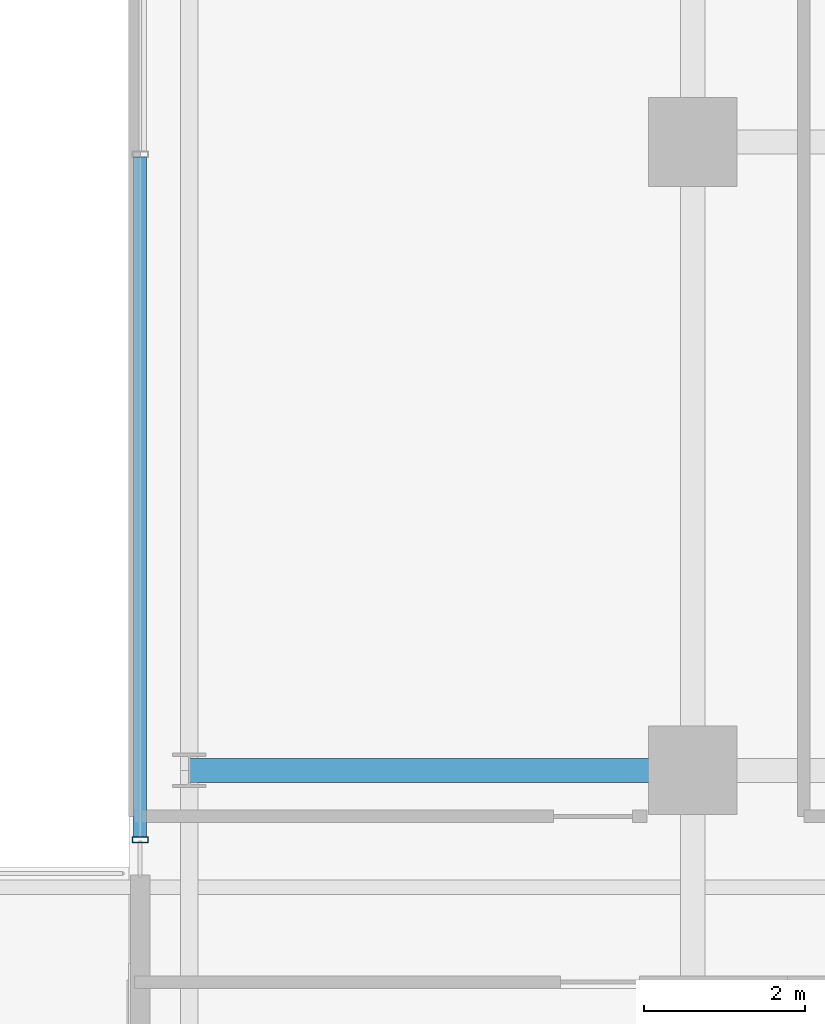
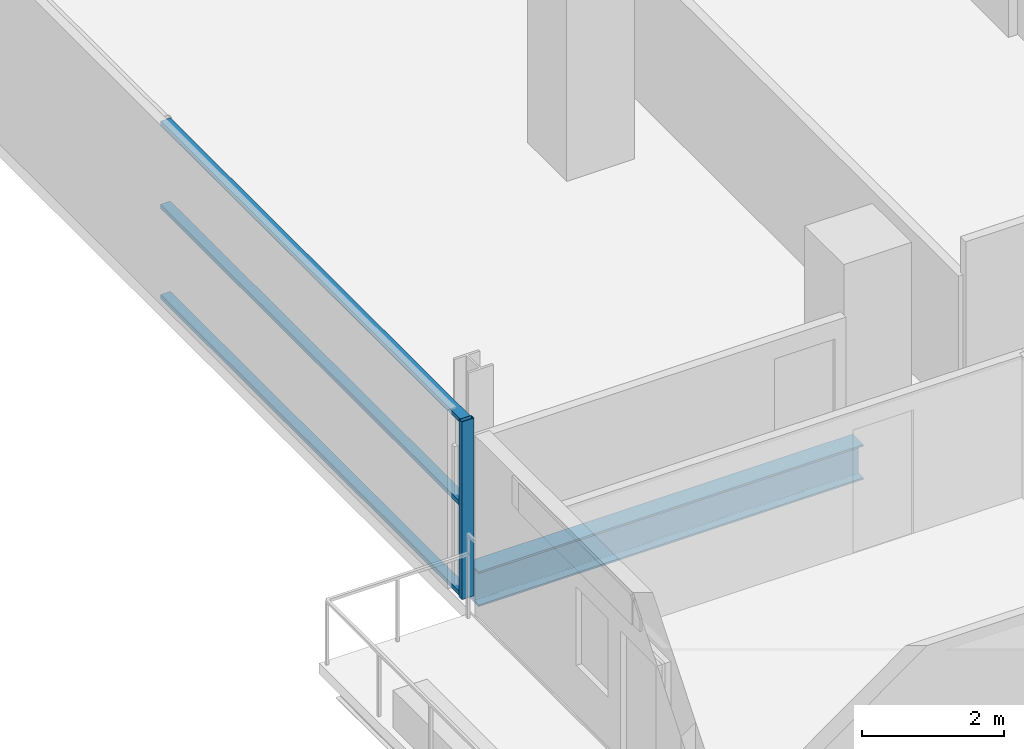
# One storey, part 5 of 32: 4 members, 1 beam, 1 element without a shape of its own.
"""IFC4 building model written with IfcOpenShell, lengths in metres."""

import ifcopenshell
import ifcopenshell.guid

model = None  # the IFC model being written
_history = None  # IfcOwnerHistory: only IFC2X3 demands one
_inside = {}  # id of a spatial element -> (the spatial element, [elements in it])
_under = {}  # id of a project, library or spatial element -> (it, [spatial elements below it])
_declared = {}  # id of a project -> (the project, [libraries it declares])
_typed = {}  # id of a type object -> (the type object, [elements of that type])
_made_of = {}  # id of a material, layer set ... -> (it, [elements and type objects made of it])


def new_model(schema):
    """Start an empty IFC model of exactly this schema.

    Asked for "IFC4X3", IfcOpenShell would pick the latest addendum, in which some entities
    have other attributes; the version numbers below select the first issue.
    IFC2X3 requires an IfcOwnerHistory on every rooted entity: one is made here for all.
    """
    global model, _history
    if schema == "IFC4X3":
        model = ifcopenshell.file(schema_version=(4, 3, 0, 0))
    else:
        model = ifcopenshell.file(schema=schema)
    _inside.clear()
    _under.clear()
    _declared.clear()
    _typed.clear()
    _made_of.clear()
    _history = None
    if model.schema == "IFC2X3":
        org = make("IfcOrganization", Name="unknown")
        user = make(
            "IfcPersonAndOrganization",
            ThePerson=make("IfcPerson", FamilyName="unknown"),
            TheOrganization=org,
        )
        app = make(
            "IfcApplication",
            ApplicationDeveloper=org,
            Version="unknown",
            ApplicationFullName="unknown",
            ApplicationIdentifier="unknown",
        )
        _history = make(
            "IfcOwnerHistory",
            OwningUser=user,
            OwningApplication=app,
            ChangeAction="ADDED",
            CreationDate=0,
        )
    return model


def make(cls, **values):
    """One entity of the class cls with the attributes given. An attribute that is None is left unset."""
    return model.create_entity(
        cls, **{name: value for name, value in values.items() if value is not None}
    )


def rooted(cls, **values):
    """An entity with a GlobalId (a new one), such as an element, a storey or a relation."""
    return make(cls, GlobalId=ifcopenshell.guid.new(), OwnerHistory=_history, **values)


def si_unit(unit_type, name, prefix=None):
    """IfcSIUnit, for example si_unit("LENGTHUNIT", "METRE", prefix="MILLI")."""
    return make("IfcSIUnit", UnitType=unit_type, Prefix=prefix, Name=name)


def assignment(units):
    """IfcUnitAssignment: the units of a project."""
    return None if units is None else make("IfcUnitAssignment", Units=units)


def point(xyz):
    """IfcCartesianPoint."""
    return None if xyz is None else make("IfcCartesianPoint", Coordinates=xyz)


def direction(xyz):
    """IfcDirection."""
    return None if xyz is None else make("IfcDirection", DirectionRatios=xyz)


def frame(location, z_axis=None, x_axis=None):
    """IfcAxis2Placement3D, a coordinate frame: its origin and axes. An axis left out is left unset."""
    return make(
        "IfcAxis2Placement3D",
        Location=point(location),
        Axis=direction(z_axis),
        RefDirection=direction(x_axis),
    )


def frame_2d(location, x_axis=None):
    """IfcAxis2Placement2D, a coordinate frame in the plane: its origin and x axis."""
    return make(
        "IfcAxis2Placement2D", Location=point(location), RefDirection=direction(x_axis)
    )


def origin():
    """The frame at (0, 0, 0) with its axes left unset."""
    return frame((0.0, 0.0, 0.0))


def origin_2d():
    """The frame at (0, 0) in the plane with its x axis left unset."""
    return frame_2d((0.0, 0.0))


def place(relative_to, where):
    """IfcLocalPlacement: puts the frame where relative to a parent placement (None: the world)."""
    return make(
        "IfcLocalPlacement", PlacementRelTo=relative_to, RelativePlacement=where
    )


def context(
    kind, dimensions, precision=None, world=None, true_north=None, identifier=None
):
    """IfcGeometricRepresentationContext, for example the 3D "Model" context."""
    return make(
        "IfcGeometricRepresentationContext",
        ContextIdentifier=identifier,
        ContextType=kind,
        CoordinateSpaceDimension=dimensions,
        Precision=precision,
        WorldCoordinateSystem=world,
        TrueNorth=true_north,
    )


def subcontext(parent, identifier, kind, view, scale=None):
    """IfcGeometricRepresentationSubContext, for example "Body" below "Model"."""
    return make(
        "IfcGeometricRepresentationSubContext",
        ContextIdentifier=identifier,
        ContextType=kind,
        ParentContext=parent,
        TargetScale=scale,
        TargetView=view,
    )


def project(units=None, contexts=None):
    """IfcProject with its units and contexts."""
    return rooted(
        "IfcProject",
        Name="project",
        RepresentationContexts=contexts,
        UnitsInContext=assignment(units),
    )


def spatial(cls, under=None, at=None, **own):
    """A site, building, storey or space (cls), placed at a placement, below another one or the project."""
    s = rooted(cls, ObjectPlacement=at, **own)
    if under is not None:
        _under.setdefault(under.id(), (under, []))[1].append(s)
    return s


def profile(cls, at=None, kind="AREA", **sizes):
    """A parametric profile (cls). Its sizes go by their IFC names, for example OverallWidth=200.0."""
    return make(cls, ProfileType=kind, Position=at, **sizes)


def hollow_rectangle(**sizes):
    """IfcRectangleHollowProfileDef."""
    return profile("IfcRectangleHollowProfileDef", **sizes)


def i_section(**sizes):
    """IfcIShapeProfileDef."""
    return profile("IfcIShapeProfileDef", **sizes)


def extrude(swept, where, along, depth):
    """IfcExtrudedAreaSolid: the profile swept, set in the frame where, extruded along a direction by depth."""
    return make(
        "IfcExtrudedAreaSolid",
        SweptArea=swept,
        Position=where,
        ExtrudedDirection=direction(along),
        Depth=depth,
    )


def shape(context_of_items, identifier, shape_type, items):
    """IfcShapeRepresentation: the items that make up one representation, for example the "Body"."""
    return make(
        "IfcShapeRepresentation",
        ContextOfItems=context_of_items,
        RepresentationIdentifier=identifier,
        RepresentationType=shape_type,
        Items=items,
    )


def source(mapping_origin, context_of_items, identifier, shape_type, items):
    """IfcRepresentationMap: a shape defined once, which mapped items show again and again."""
    return make(
        "IfcRepresentationMap",
        MappingOrigin=mapping_origin,
        MappedRepresentation=shape(context_of_items, identifier, shape_type, items),
    )


def transform(
    local_origin,
    x_axis=None,
    y_axis=None,
    z_axis=None,
    scale=None,
    scale2=None,
    scale3=None,
    uniform=True,
):
    """IfcCartesianTransformationOperator3D, or its non-uniform kind. x_axis, y_axis, z_axis: its Axis1, 2, 3."""
    if uniform:
        return make(
            "IfcCartesianTransformationOperator3D",
            Axis1=direction(x_axis),
            Axis2=direction(y_axis),
            LocalOrigin=point(local_origin),
            Scale=scale,
            Axis3=direction(z_axis),
        )
    return make(
        "IfcCartesianTransformationOperator3DnonUniform",
        Axis1=direction(x_axis),
        Axis2=direction(y_axis),
        LocalOrigin=point(local_origin),
        Scale=scale,
        Axis3=direction(z_axis),
        Scale2=scale2,
        Scale3=scale3,
    )


def mapped(mapping_source, mapping_target):
    """IfcMappedItem: shows the shape of a source again, moved by a transform."""
    return make(
        "IfcMappedItem", MappingSource=mapping_source, MappingTarget=mapping_target
    )


def material(Name=None, Category=None):
    """IfcMaterial."""
    return make("IfcMaterial", Name=Name, Category=Category)


def layer(
    of_material, thickness, ventilated=None, Name=None, Category=None, Priority=None
):
    """IfcMaterialLayer: one layer of a wall or slab, of a material (None: an air gap)."""
    return make(
        "IfcMaterialLayer",
        Material=of_material,
        LayerThickness=thickness,
        IsVentilated=ventilated,
        Name=Name,
        Category=Category,
        Priority=Priority,
    )


def layer_set(layers, Name=None):
    """IfcMaterialLayerSet."""
    return make("IfcMaterialLayerSet", MaterialLayers=layers, LayerSetName=Name)


def material_profile(
    of_material, cross_section, Name=None, Category=None, Priority=None
):
    """IfcMaterialProfile: a cross section and its material."""
    return make(
        "IfcMaterialProfile",
        Name=Name,
        Material=of_material,
        Profile=cross_section,
        Priority=Priority,
        Category=Category,
    )


def profile_set(profiles, Name=None, composite=None):
    """IfcMaterialProfileSet."""
    return make(
        "IfcMaterialProfileSet",
        Name=Name,
        MaterialProfiles=profiles,
        CompositeProfile=composite,
    )


def made_of(thing, what):
    """Note that an element or type object is made of a material, layer set ...; save() writes the relation."""
    if what is not None:
        _made_of.setdefault(what.id(), (what, []))[1].append(thing)
    return thing


def type_object(cls, material=None, **own):
    """A type object (cls), such as IfcWallType, which elements share."""
    return made_of(rooted(cls, **own), material)


def element(
    cls,
    number,
    at=None,
    inside=None,
    cuts=None,
    type_object=None,
    material=None,
    context=None,
    identifier="Body",
    shape_type=None,
    held_by="IfcProductDefinitionShape",
    body=None,
    shapes=None,
    **own,
):
    """One element of the class cls, such as IfcWall. Its Tag is "e" and its number.

    at: its placement. inside: the storey or other place that contains it. cuts: it is an
    opening in that element (IfcRelVoidsElement). A single representation is given by context,
    identifier, shape_type and body (its items); several are given by shapes. held_by: the class
    of the entity that holds the representations. save() writes the other relations.
    """
    e = rooted(cls, Tag="e%d" % number, ObjectPlacement=at, **own)
    if body is not None:
        shapes = [shape(context, identifier, shape_type, body)]
    if shapes is not None:
        e.Representation = make(held_by, Representations=shapes)
    if inside is not None:
        _inside.setdefault(inside.id(), (inside, []))[1].append(e)
    if cuts is not None:
        rooted(
            "IfcRelVoidsElement", RelatingBuildingElement=cuts, RelatedOpeningElement=e
        )
    if type_object is not None:
        _typed.setdefault(type_object.id(), (type_object, []))[1].append(e)
    return made_of(e, material)


def aggregate(whole, parts):
    """IfcRelAggregates: a whole, such as a stair, and the parts it consists of."""
    return rooted("IfcRelAggregates", RelatingObject=whole, RelatedObjects=parts)


def save(model, path):
    """Write the relations noted so far, then the file.

    IfcRelAggregates (storeys below a building ...), IfcRelContainedInSpatialStructure (elements
    in a storey), IfcRelDefinesByType, IfcRelAssociatesMaterial and IfcRelDeclares: one each for
    every whole, place, type object, material and project.
    """
    for whole, parts in _under.values():
        aggregate(whole, parts)
    for where, things in _inside.values():
        rooted(
            "IfcRelContainedInSpatialStructure",
            RelatedElements=things,
            RelatingStructure=where,
        )
    for kind, things in _typed.values():
        rooted("IfcRelDefinesByType", RelatedObjects=things, RelatingType=kind)
    for what, things in _made_of.values():
        rooted("IfcRelAssociatesMaterial", RelatedObjects=things, RelatingMaterial=what)
    for by, libraries in _declared.values():
        rooted("IfcRelDeclares", RelatingContext=by, RelatedDefinitions=libraries)
    model.write(path)


model = new_model("IFC4")

# Units and contexts
model_context = context("Model", 3, precision=1e-05, world=origin(), true_north=direction((0.0, 1.0)))
body_context = subcontext(model_context, "Body", "Model", "MODEL_VIEW")
ifc_project = project(units=[si_unit("LENGTHUNIT", "METRE"), si_unit("AREAUNIT", "SQUARE_METRE"), si_unit("VOLUMEUNIT", "CUBIC_METRE"), si_unit("PLANEANGLEUNIT", "RADIAN"), si_unit("MASSUNIT", "GRAM", prefix="KILO")], contexts=[model_context])

# Site, building, storey
site_placement = place(None, origin())
site = spatial("IfcSite", under=ifc_project, at=site_placement, CompositionType="ELEMENT")
building_placement = place(site_placement, origin())
building = spatial("IfcBuilding", under=site, at=building_placement, Name="Zarnakvel Exchange Tower", CompositionType="ELEMENT")
storey_placement = place(building_placement, frame((0.0, 0.0, 73.60009765625)))
storey = spatial("IfcBuildingStorey", under=building, at=storey_placement, Name="L20", CompositionType="ELEMENT", Elevation=73.60009765625)

# Beam
ifc_material_1 = material(Name="Steel S355", Category="steel")
ifc_material_profile_1 = material_profile(ifc_material_1, i_section(OverallWidth=0.300048828125, OverallDepth=0.60009765625, WebThickness=0.015380859375, FlangeThickness=0.030029296875, FilletRadius=0.027099609375, at=origin_2d()))
ifc_profile_set_1 = profile_set([ifc_material_profile_1], Name="Steel S355")
beam_type = type_object("IfcBeamType", Name="G-04", PredefinedType="BEAM", material=ifc_profile_set_1)
beam_placement = place(storey_placement, frame((-27.85009765625, -1.199951171875, -0.525146484375), z_axis=(1.0, 0.0, 0.0), x_axis=(0.0, 1.0, 0.0)))
element("IfcBeam", 1, at=beam_placement, inside=storey, type_object=beam_type, Name="L20 Tower E-W Frame Beam", PredefinedType="BEAM", context=body_context, shape_type="SweptSolid", body=[
    extrude(i_section(OverallWidth=0.300048828125, OverallDepth=0.60009765625, WebThickness=0.015380859375, FlangeThickness=0.030029296875, FilletRadius=0.027099609375, at=origin_2d()), origin(), (0.0, 0.0, 1.0), 6.25),
])

# Curtain wall, members
ifc_material_2 = material(Name="Architectural Bronze Anodised Aluminium", Category="aluminium")
ifc_layer = layer(ifc_material_2, 0.199951171875)
ifc_layer_set = layer_set([ifc_layer], Name="Architectural Bronze Anodised Aluminium")
curtain_wall_type = type_object("IfcCurtainWallType", Name="CW-04", PredefinedType="NOTDEFINED", material=ifc_layer_set)
curtain_wall_placement = place(storey_placement, origin())
curtain_wall = element("IfcCurtainWall", 2, at=curtain_wall_placement, inside=storey, type_object=curtain_wall_type, Name="L20 Curtain Wall CW-L20-WN (CW-04)", PredefinedType="NOTDEFINED")
ifc_material_profile_2 = material_profile(ifc_material_2, hollow_rectangle(XDim=0.159912109375, YDim=0.074951171875, WallThickness=0.00390625, at=origin_2d()))
ifc_profile_set_2 = profile_set([ifc_material_profile_2], Name="Architectural Bronze Anodised Aluminium")
member_type_1 = type_object("IfcMemberType", Name="CWT-04", PredefinedType="USERDEFINED", material=ifc_profile_set_2)
shared_shape_1 = source(origin(), body_context, "Body", "SweptSolid", [
    extrude(hollow_rectangle(XDim=0.159912109375, YDim=0.074951171875, WallThickness=0.00390625, at=origin_2d()), origin(), (0.0, 0.0, 1.0), 8.4375),
])
member_1_placement = place(storey_placement, frame((-28.4599609375, -2.02490234375, 0.037353515625), z_axis=(0.0, 1.0, 0.0), x_axis=(-1.0, 0.0, 0.0)))
member_1 = element("IfcMember", 3, at=member_1_placement, type_object=member_type_1, Name="CW-04 transom 1.1", ObjectType="TRANSOM", PredefinedType="USERDEFINED", context=body_context, shape_type="MappedRepresentation", body=[
    mapped(shared_shape_1, transform((0.0, 0.0, 0.0), x_axis=(1.0, 0.0, 0.0), y_axis=(0.0, 1.0, 0.0), z_axis=(0.0, 0.0, 1.0), scale=1.0)),
])
member_2_placement = place(storey_placement, frame((-28.4599609375, -2.02490234375, 1.588623046875), z_axis=(0.0, 1.0, 0.0), x_axis=(-1.0, 0.0, 0.0)))
member_2 = element("IfcMember", 4, at=member_2_placement, type_object=member_type_1, Name="CW-04 transom 1.2", ObjectType="TRANSOM", PredefinedType="USERDEFINED", context=body_context, shape_type="MappedRepresentation", body=[
    mapped(shared_shape_1, transform((0.0, 0.0, 0.0), x_axis=(1.0, 0.0, 0.0), y_axis=(0.0, 1.0, 0.0), z_axis=(0.0, 0.0, 1.0), scale=1.0)),
])
member_3_placement = place(storey_placement, frame((-28.4599609375, -2.02490234375, 3.017333984375), z_axis=(0.0, 1.0, 0.0), x_axis=(-1.0, 0.0, 0.0)))
member_3 = element("IfcMember", 5, at=member_3_placement, type_object=member_type_1, Name="CW-04 transom 1.3", ObjectType="TRANSOM", PredefinedType="USERDEFINED", context=body_context, shape_type="MappedRepresentation", body=[
    mapped(shared_shape_1, transform((0.0, 0.0, 0.0), x_axis=(1.0, 0.0, 0.0), y_axis=(0.0, 1.0, 0.0), z_axis=(0.0, 0.0, 1.0), scale=1.0)),
])
ifc_material_profile_3 = material_profile(ifc_material_2, hollow_rectangle(XDim=0.199951171875, YDim=0.074951171875, WallThickness=0.0048828125, at=origin_2d()))
ifc_profile_set_3 = profile_set([ifc_material_profile_3], Name="Architectural Bronze Anodised Aluminium")
member_type_2 = type_object("IfcMemberType", Name="CWM-04", PredefinedType="MULLION", material=ifc_profile_set_3)
shared_shape_2 = source(origin(), body_context, "Body", "SweptSolid", [
    extrude(hollow_rectangle(XDim=0.199951171875, YDim=0.074951171875, WallThickness=0.0048828125, at=origin_2d()), origin(), (0.0, 0.0, 1.0), 3.054931640625),
])
member_4_placement = place(storey_placement, frame((-28.4599609375, -2.0625, 0.0), z_axis=(0.0, 0.0, 1.0), x_axis=(-1.0, 0.0, 0.0)))
member_4 = element("IfcMember", 6, at=member_4_placement, type_object=member_type_2, Name="CW-04 mullion 1", PredefinedType="MULLION", context=body_context, shape_type="MappedRepresentation", body=[
    mapped(shared_shape_2, transform((0.0, 0.0, 0.0), x_axis=(1.0, 0.0, 0.0), y_axis=(0.0, 1.0, 0.0), z_axis=(0.0, 0.0, 1.0), scale=1.0)),
])
aggregate(curtain_wall, [member_4, member_1, member_2, member_3])

save(model, "model.ifc")
